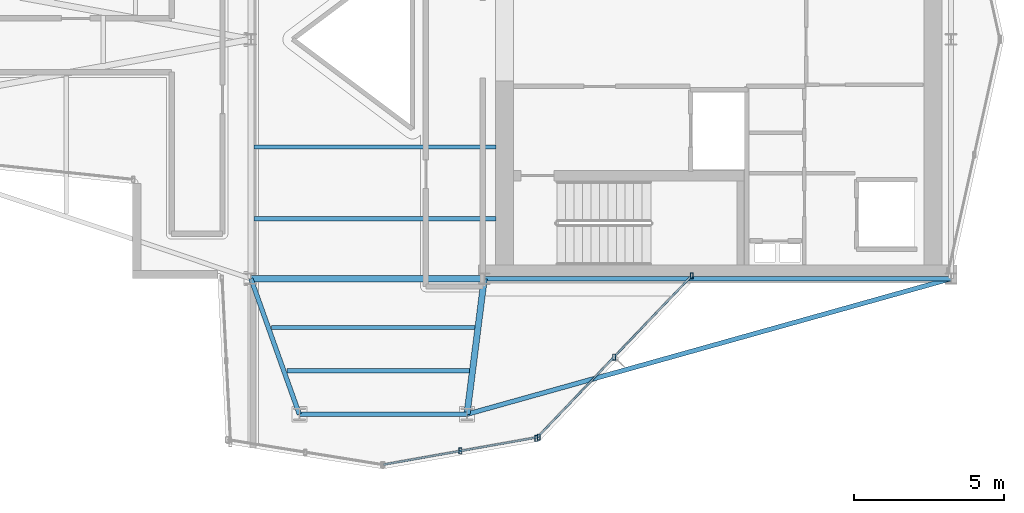
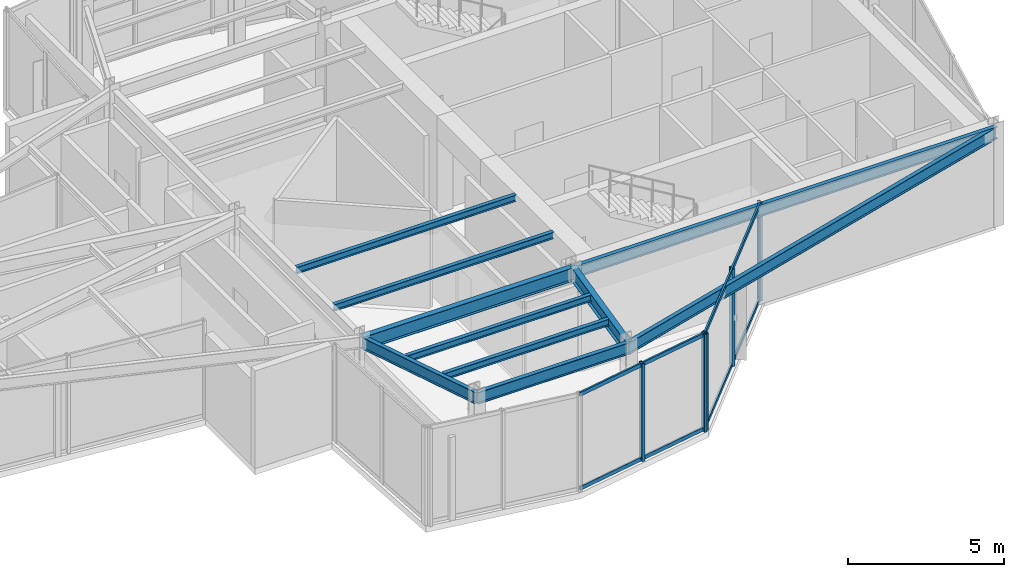
# One storey, part 3 of 14: 10 beams, 9 members, 2 elements without a shape of their own.
"""IFC4 building model written with IfcOpenShell, lengths in metres."""

from ifc_helpers import new_model, si_unit, direction, frame, origin, origin_2d, place, context, subcontext, project, spatial, hollow_rectangle, i_section, extrude, material, layer, layer_set, material_profile, profile_set, type_object, element, aggregate, save


model = new_model("IFC4")

# Units and contexts
model_context = context("Model", 3, precision=1e-05, world=origin(), true_north=direction((0.0, 1.0)))
body_context = subcontext(model_context, "Body", "Model", "MODEL_VIEW")
ifc_project = project(units=[si_unit("LENGTHUNIT", "METRE"), si_unit("AREAUNIT", "SQUARE_METRE"), si_unit("VOLUMEUNIT", "CUBIC_METRE"), si_unit("PLANEANGLEUNIT", "RADIAN"), si_unit("MASSUNIT", "GRAM", prefix="KILO")], contexts=[model_context])

# Site, building, storey
site_placement = place(None, origin())
site = spatial("IfcSite", under=ifc_project, at=site_placement, CompositionType="ELEMENT")
building_placement = place(site_placement, origin())
building = spatial("IfcBuilding", under=site, at=building_placement, Name="Veymaron Broadcast Tower", CompositionType="ELEMENT")
storey_placement = place(building_placement, frame((0.0, 0.0, 295.199951171875)))
storey = spatial("IfcBuildingStorey", under=building, at=storey_placement, Name="L69", CompositionType="ELEMENT", Elevation=295.199951171875)

# Beams
ifc_material_1 = material(Name="Structural steel ASTM A992 Gr 50", Category="steel")
ifc_material_profile_1 = material_profile(ifc_material_1, i_section(OverallWidth=0.208984375, OverallDepth=0.528076171875, WebThickness=0.009521484375, FlangeThickness=0.01318359375, at=origin_2d()), Name="W530X82")
ifc_profile_set_1 = profile_set([ifc_material_profile_1], Name="Structural steel ASTM A992 Gr 50")
beam_type_1 = type_object("IfcBeamType", Name="BM-FG4", PredefinedType="BEAM", material=ifc_profile_set_1)
beam_1_placement = place(storey_placement, frame((31.199951171875, 16.0, 3.546142578125), z_axis=(1.0, 0.0, 0.0), x_axis=(0.0, 1.0, 0.0)))
element("IfcBeam", 1, at=beam_1_placement, inside=storey, type_object=beam_type_1, Name="L69 primary structural floor girder", PredefinedType="BEAM", context=body_context, shape_type="SweptSolid", body=[
    extrude(i_section(OverallWidth=0.208984375, OverallDepth=0.528076171875, WebThickness=0.009521484375, FlangeThickness=0.01318359375, at=origin_2d()), origin(), (0.0, 0.0, 1.0), 7.800048828125),
])
beam_2_placement = place(storey_placement, frame((39.0, 16.0, 3.546142578125), z_axis=(-0.126487567317, -0.991968192693, 0.0), x_axis=(0.991968192693, -0.126487567317, 0.0)))
element("IfcBeam", 2, at=beam_2_placement, inside=storey, type_object=beam_type_1, Name="L69 primary structural floor girder", PredefinedType="BEAM", context=body_context, shape_type="SweptSolid", body=[
    extrude(i_section(OverallWidth=0.208984375, OverallDepth=0.528076171875, WebThickness=0.009521484375, FlangeThickness=0.01318359375, at=origin_2d()), origin(), (0.0, 0.0, 1.0), 4.568603515625),
])
ifc_material_profile_2 = material_profile(ifc_material_1, i_section(OverallWidth=0.14599609375, OverallDepth=0.258056640625, WebThickness=0.006103515625, FlangeThickness=0.009033203125, at=origin_2d()), Name="W250X33")
ifc_profile_set_2 = profile_set([ifc_material_profile_2], Name="Structural steel ASTM A992 Gr 50")
beam_type_2 = type_object("IfcBeamType", Name="BM-JS4", PredefinedType="JOIST", material=ifc_profile_set_2)
beam_3_placement = place(storey_placement, frame((31.882568359375, 14.368408203125, 3.68115234375), z_axis=(1.0, 0.0, 0.0), x_axis=(0.0, 1.0, 0.0)))
element("IfcBeam", 3, at=beam_3_placement, inside=storey, type_object=beam_type_2, Name="L69 Arm-C secondary joist 1", PredefinedType="JOIST", context=body_context, shape_type="SweptSolid", body=[
    extrude(i_section(OverallWidth=0.14599609375, OverallDepth=0.258056640625, WebThickness=0.006103515625, FlangeThickness=0.009033203125, at=origin_2d()), origin(), (0.0, 0.0, 1.0), 6.809326171875),
])
beam_4_placement = place(storey_placement, frame((32.400390625, 12.918212890625, 3.68115234375), z_axis=(1.0, 0.0, 0.0), x_axis=(0.0, 1.0, 0.0)))
element("IfcBeam", 4, at=beam_4_placement, inside=storey, type_object=beam_type_2, Name="L69 Arm-C secondary joist 2", PredefinedType="JOIST", context=body_context, shape_type="SweptSolid", body=[
    extrude(i_section(OverallWidth=0.14599609375, OverallDepth=0.258056640625, WebThickness=0.006103515625, FlangeThickness=0.009033203125, at=origin_2d()), origin(), (0.0, 0.0, 1.0), 6.106689453125),
])
for number, where, z_axis, x_axis, name in (
    (5, (31.300048828125, 18.0, 3.68115234375), (1.0, 0.0, 0.0), (0.0, 1.0, 0.0), "L69 Hub secondary joist 1"),
    (6, (31.300048828125, 20.39990234375, 3.68115234375), (1.0, 0.0, 0.0), (0.0, 1.0, 0.0), "L69 Hub secondary joist 2"),
):
    element("IfcBeam", number, at=place(storey_placement, frame(where, z_axis=z_axis, x_axis=x_axis)), inside=storey, type_object=beam_type_2, Name=name, PredefinedType="JOIST", context=body_context, shape_type="SweptSolid", body=[
        extrude(i_section(OverallWidth=0.14599609375, OverallDepth=0.258056640625, WebThickness=0.006103515625, FlangeThickness=0.009033203125, at=origin_2d()), origin(), (0.0, 0.0, 1.0), 8.099853515625),
    ])
ifc_material_profile_3 = material_profile(ifc_material_1, i_section(OverallWidth=0.154052734375, OverallDepth=0.458984375, WebThickness=0.009033203125, FlangeThickness=0.015380859375, at=origin_2d()), Name="W460X68")
ifc_profile_set_3 = profile_set([ifc_material_profile_3], Name="Structural steel ASTM A992 Gr 50")
beam_type_3 = type_object("IfcBeamType", Name="BM-SP2", PredefinedType="SPANDREL", material=ifc_profile_set_3)
beam_5_placement = place(storey_placement, frame((39.0, 16.0, 3.58056640625), z_axis=(1.0, 0.0, 0.0), x_axis=(0.0, 1.0, 0.0)))
element("IfcBeam", 7, at=beam_5_placement, inside=storey, type_object=beam_type_3, Name="L69 primary structural floor girder", PredefinedType="SPANDREL", context=body_context, shape_type="SweptSolid", body=[
    extrude(i_section(OverallWidth=0.154052734375, OverallDepth=0.458984375, WebThickness=0.009033203125, FlangeThickness=0.015380859375, at=origin_2d()), origin(), (0.0, 0.0, 1.0), 15.60009765625),
])
beam_6_placement = place(storey_placement, frame((31.199951171875, 16.0, 3.58056640625), z_axis=(0.336307472279, -0.941752241351, 0.0), x_axis=(0.941752241351, 0.336307472279, 0.0)))
element("IfcBeam", 8, at=beam_6_placement, inside=storey, type_object=beam_type_3, Name="L69 primary structural floor girder", PredefinedType="SPANDREL", context=body_context, shape_type="SweptSolid", body=[
    extrude(i_section(OverallWidth=0.154052734375, OverallDepth=0.458984375, WebThickness=0.009033203125, FlangeThickness=0.015380859375, at=origin_2d()), origin(), (0.0, 0.0, 1.0), 4.812255859375),
])
beam_7_placement = place(storey_placement, frame((54.60009765625, 16.0, 3.58056640625), z_axis=(-0.962930809843, -0.269748504084, 0.0), x_axis=(0.269748504084, -0.962930809843, 0.0)))
element("IfcBeam", 9, at=beam_7_placement, inside=storey, type_object=beam_type_3, Name="L69 primary structural floor girder", PredefinedType="SPANDREL", context=body_context, shape_type="SweptSolid", body=[
    extrude(i_section(OverallWidth=0.154052734375, OverallDepth=0.458984375, WebThickness=0.009033203125, FlangeThickness=0.015380859375, at=origin_2d()), origin(), (0.0, 0.0, 1.0), 16.80078125),
])
beam_8_placement = place(storey_placement, frame((32.818359375, 11.468017578125, 3.58056640625), z_axis=(1.0, 0.0, 0.0), x_axis=(0.0, 1.0, 0.0)))
element("IfcBeam", 10, at=beam_8_placement, inside=storey, type_object=beam_type_3, Name="L69 primary structural floor girder", PredefinedType="SPANDREL", context=body_context, shape_type="SweptSolid", body=[
    extrude(i_section(OverallWidth=0.154052734375, OverallDepth=0.458984375, WebThickness=0.009033203125, FlangeThickness=0.015380859375, at=origin_2d()), origin(), (0.0, 0.0, 1.0), 5.603759765625),
])

# Curtain wall, members
ifc_material_2 = material(Name="Anodised aluminium AA 6063-T6 and laminated low-E dark glass", Category="aluminium")
ifc_layer = layer(ifc_material_2, 0.179931640625)
ifc_layer_set = layer_set([ifc_layer], Name="Anodised aluminium AA 6063-T6 and laminated low-E dark glass")
curtain_wall_type = type_object("IfcCurtainWallType", Name="CW-SYS-06", PredefinedType="NOTDEFINED", material=ifc_layer_set)
curtain_wall_1_placement = place(storey_placement, origin())
curtain_wall_1 = element("IfcCurtainWall", 11, at=curtain_wall_1_placement, inside=storey, type_object=curtain_wall_type, Name="L69 dark-glass curtain wall CW-L69-E19-1", PredefinedType="NOTDEFINED")
ifc_material_3 = material(Name="Anodised aluminium AA 6063-T6", Category="aluminium")
ifc_material_profile_4 = material_profile(ifc_material_3, hollow_rectangle(XDim=0.10009765625, YDim=0.199951171875, WallThickness=0.010009765625, at=origin_2d()), Name="RHS200X100X10")
ifc_profile_set_4 = profile_set([ifc_material_profile_4], Name="Anodised aluminium AA 6063-T6")
member_type_1 = type_object("IfcMemberType", Name="CW-MUL-01", PredefinedType="MULLION", material=ifc_profile_set_4)
member_1_placement = place(storey_placement, frame((38.2021484375, 10.24072265625, 0.0), z_axis=(0.0, 0.0, 1.0), x_axis=(1.0, 0.0, 0.0)))
member_1 = element("IfcMember", 12, at=member_1_placement, type_object=member_type_1, Name="CW-L69-E19-1 mullion 1", PredefinedType="MULLION", context=body_context, shape_type="SweptSolid", body=[
    extrude(hollow_rectangle(XDim=0.10009765625, YDim=0.199951171875, WallThickness=0.010009765625, at=origin_2d()), origin(), (0.0, 0.0, 1.0), 3.81005859375),
])
member_2_placement = place(storey_placement, frame((40.819580078125, 10.705078125, 0.0), z_axis=(0.0, 0.0, 1.0), x_axis=(1.0, 0.0, 0.0)))
member_2 = element("IfcMember", 13, at=member_2_placement, type_object=member_type_1, Name="CW-L69-E19-1 mullion 2", PredefinedType="MULLION", context=body_context, shape_type="SweptSolid", body=[
    extrude(hollow_rectangle(XDim=0.10009765625, YDim=0.199951171875, WallThickness=0.010009765625, at=origin_2d()), origin(), (0.0, 0.0, 1.0), 3.81005859375),
])

curtain_wall_2_placement = place(storey_placement, origin())
curtain_wall_2 = element("IfcCurtainWall", 14, at=curtain_wall_2_placement, inside=storey, type_object=curtain_wall_type, Name="L69 dark-glass curtain wall CW-L69-E20-1", PredefinedType="NOTDEFINED")
member_3_placement = place(storey_placement, frame((40.74267578125, 10.663818359375, 0.0), z_axis=(0.0, 0.0, 1.0), x_axis=(1.0, 0.0, 0.0)))
member_3 = element("IfcMember", 15, at=member_3_placement, type_object=member_type_1, Name="CW-L69-E20-1 mullion 0", PredefinedType="MULLION", context=body_context, shape_type="SweptSolid", body=[
    extrude(hollow_rectangle(XDim=0.10009765625, YDim=0.199951171875, WallThickness=0.010009765625, at=origin_2d()), origin(), (0.0, 0.0, 1.0), 3.81005859375),
])
member_4_placement = place(storey_placement, frame((43.33837890625, 13.38037109375, 0.0), z_axis=(0.0, 0.0, 1.0), x_axis=(1.0, 0.0, 0.0)))
member_4 = element("IfcMember", 16, at=member_4_placement, type_object=member_type_1, Name="CW-L69-E20-1 mullion 1", PredefinedType="MULLION", context=body_context, shape_type="SweptSolid", body=[
    extrude(hollow_rectangle(XDim=0.10009765625, YDim=0.199951171875, WallThickness=0.010009765625, at=origin_2d()), origin(), (0.0, 0.0, 1.0), 3.81005859375),
])
member_5_placement = place(storey_placement, frame((45.934326171875, 16.0966796875, 0.0), z_axis=(0.0, 0.0, 1.0), x_axis=(1.0, 0.0, 0.0)))
member_5 = element("IfcMember", 17, at=member_5_placement, type_object=member_type_1, Name="CW-L69-E20-1 mullion 2", PredefinedType="MULLION", context=body_context, shape_type="SweptSolid", body=[
    extrude(hollow_rectangle(XDim=0.10009765625, YDim=0.199951171875, WallThickness=0.010009765625, at=origin_2d()), origin(), (0.0, 0.0, 1.0), 3.81005859375),
])

# Member
ifc_material_profile_5 = material_profile(ifc_material_3, hollow_rectangle(XDim=0.06494140625, YDim=0.14990234375, WallThickness=0.00390625, at=origin_2d()), Name="AL150X65X4")
ifc_profile_set_5 = profile_set([ifc_material_profile_5], Name="Anodised aluminium AA 6063-T6")
member_type_2 = type_object("IfcMemberType", Name="CW-TRN-01", PredefinedType="USERDEFINED", material=ifc_profile_set_5)
member_6_placement = place(storey_placement, frame((35.634033203125, 9.785400390625, 0.070068359375), z_axis=(0.984635728528, 0.174620966971, 0.0), x_axis=(-0.174620966971, 0.984635728528, 0.0)))
member_6 = element("IfcMember", 18, at=member_6_placement, type_object=member_type_2, Name="CW-L69-E19-1 transom B", ObjectType="TRANSOM", PredefinedType="USERDEFINED", context=body_context, shape_type="SweptSolid", body=[
    extrude(hollow_rectangle(XDim=0.06494140625, YDim=0.14990234375, WallThickness=0.00390625, at=origin_2d()), origin(), (0.0, 0.0, 1.0), 5.21630859375),
])

member_7_placement = place(storey_placement, frame((35.634033203125, 9.785400390625, 3.739990234375), z_axis=(0.984635728528, 0.174620966971, 0.0), x_axis=(-0.174620966971, 0.984635728528, 0.0)))
member_7 = element("IfcMember", 19, at=member_7_placement, type_object=member_type_2, Name="CW-L69-E19-1 transom T", ObjectType="TRANSOM", PredefinedType="USERDEFINED", context=body_context, shape_type="SweptSolid", body=[
    extrude(hollow_rectangle(XDim=0.06494140625, YDim=0.14990234375, WallThickness=0.00390625, at=origin_2d()), origin(), (0.0, 0.0, 1.0), 5.21630859375),
])

aggregate(curtain_wall_1, [member_1, member_2, member_6, member_7])

member_8_placement = place(storey_placement, frame((40.777099609375, 10.699951171875, 0.070068359375), z_axis=(0.690889898106, 0.722959991075, 0.0), x_axis=(-0.722959991075, 0.690889898106, 0.0)))
member_8 = element("IfcMember", 20, at=member_8_placement, type_object=member_type_2, Name="CW-L69-E20-1 transom B", ObjectType="TRANSOM", PredefinedType="USERDEFINED", context=body_context, shape_type="SweptSolid", body=[
    extrude(hollow_rectangle(XDim=0.06494140625, YDim=0.14990234375, WallThickness=0.00390625, at=origin_2d()), origin(), (0.0, 0.0, 1.0), 7.414794921875),
])

member_9_placement = place(storey_placement, frame((40.777099609375, 10.699951171875, 3.739990234375), z_axis=(0.690889898106, 0.722959991075, 0.0), x_axis=(-0.722959991075, 0.690889898106, 0.0)))
member_9 = element("IfcMember", 21, at=member_9_placement, type_object=member_type_2, Name="CW-L69-E20-1 transom T", ObjectType="TRANSOM", PredefinedType="USERDEFINED", context=body_context, shape_type="SweptSolid", body=[
    extrude(hollow_rectangle(XDim=0.06494140625, YDim=0.14990234375, WallThickness=0.00390625, at=origin_2d()), origin(), (0.0, 0.0, 1.0), 7.414794921875),
])

aggregate(curtain_wall_2, [member_3, member_4, member_5, member_8, member_9])

save(model, "model.ifc")
